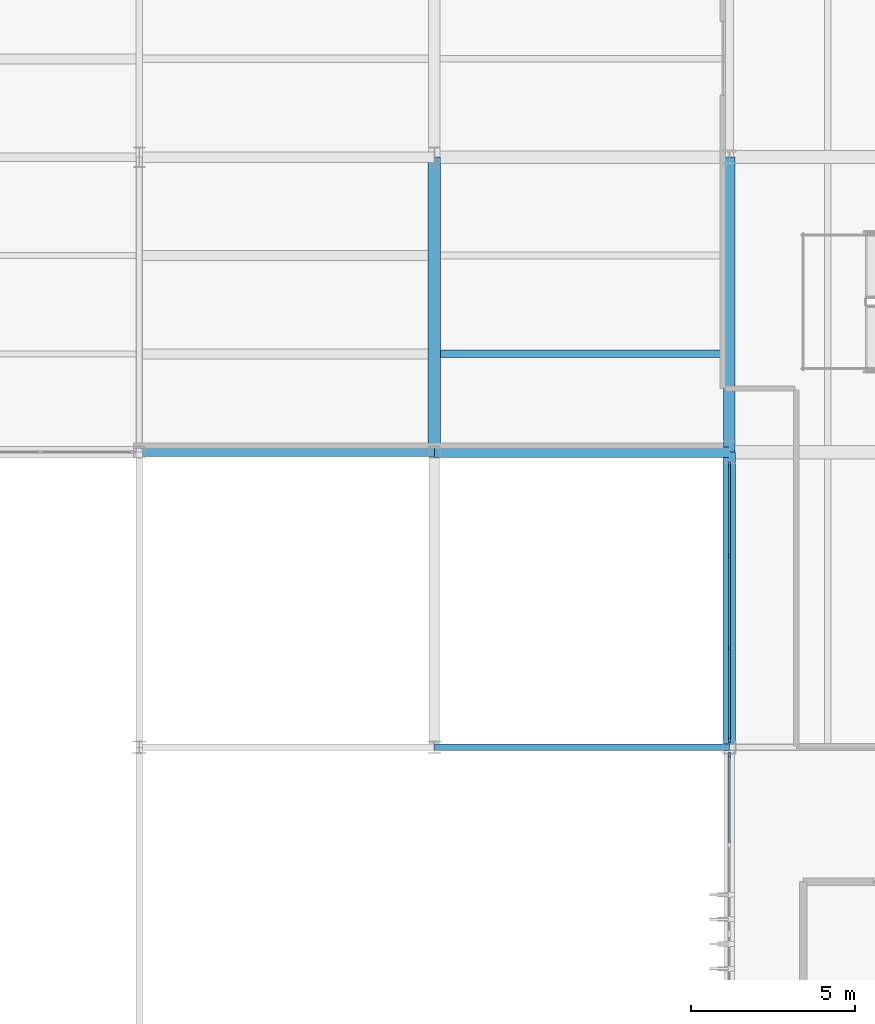
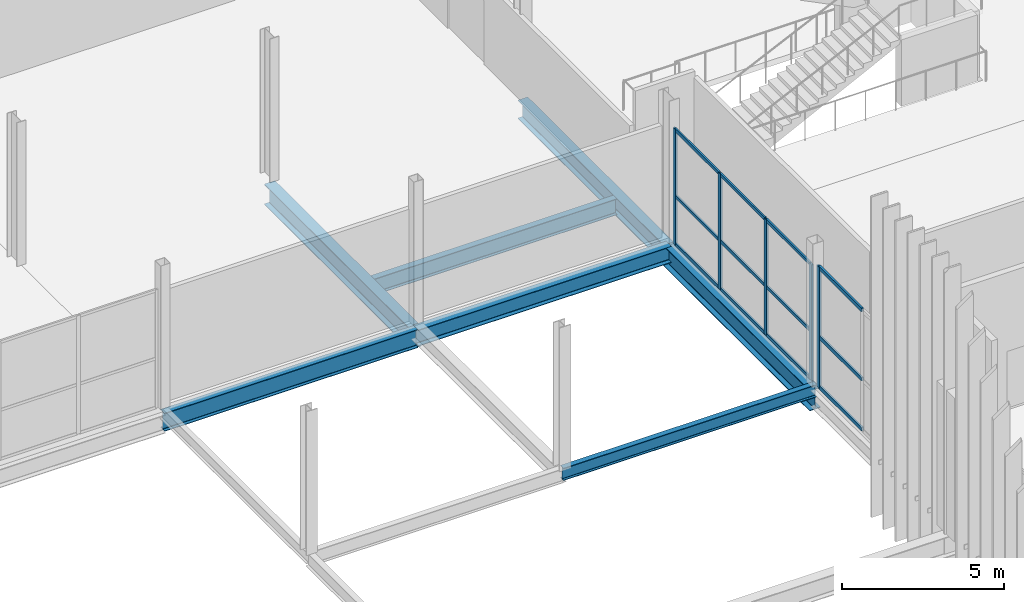
# One storey, part 43 of 119: 17 members, 7 beams, 2 elements without a shape of their own.
"""IFC4 building model written with IfcOpenShell, lengths in metres."""

from ifc_helpers import new_model, si_unit, direction, frame, origin, origin_2d, place, context, subcontext, project, spatial, rectangle, i_section, extrude, material, layer, layer_set, material_profile, profile_set, type_object, element, aggregate, save


model = new_model("IFC4")

# Units and contexts
model_context = context("Model", 3, precision=1e-05, world=origin(), true_north=direction((0.0, 1.0)))
body_context = subcontext(model_context, "Body", "Model", "MODEL_VIEW")
ifc_project = project(units=[si_unit("LENGTHUNIT", "METRE"), si_unit("AREAUNIT", "SQUARE_METRE"), si_unit("VOLUMEUNIT", "CUBIC_METRE"), si_unit("PLANEANGLEUNIT", "RADIAN"), si_unit("MASSUNIT", "GRAM", prefix="KILO")], contexts=[model_context])

# Site, building, storey
site_placement = place(None, origin())
site = spatial("IfcSite", under=ifc_project, at=site_placement, CompositionType="ELEMENT")
building_placement = place(site_placement, origin())
building = spatial("IfcBuilding", under=site, at=building_placement, Name="Qamarlyn Nura Convention Centre", CompositionType="ELEMENT")
storey_placement = place(building_placement, frame((0.0, 0.0, 5.39990234375)))
storey = spatial("IfcBuildingStorey", under=building, at=storey_placement, Name="L01", CompositionType="ELEMENT", Elevation=5.39990234375)

# Beams
ifc_material_1 = material(Name="Steel ASTM A992", Category="steel")
ifc_material_profile_1 = material_profile(ifc_material_1, i_section(OverallWidth=0.323974609375, OverallDepth=0.611083984375, WebThickness=0.0126953125, FlangeThickness=0.01904296875, FilletRadius=0.01611328125, at=origin_2d()), Name="W610X155")
ifc_profile_set_1 = profile_set([ifc_material_profile_1], Name="Steel ASTM A992")
beam_type_1 = type_object("IfcBeamType", Name="BM-GIRD-610", PredefinedType="BEAM", material=ifc_profile_set_1)
beam_1_placement = place(storey_placement, frame((144.0, 27.0, -0.525390625), z_axis=(1.0, 0.0, 0.0), x_axis=(0.0, 1.0, 0.0)))
element("IfcBeam", 1, at=beam_1_placement, inside=storey, type_object=beam_type_1, Name="L01 girder D 12-13", PredefinedType="BEAM", context=body_context, shape_type="SweptSolid", body=[
    extrude(i_section(OverallWidth=0.323974609375, OverallDepth=0.611083984375, WebThickness=0.0126953125, FlangeThickness=0.01904296875, FilletRadius=0.01611328125, at=origin_2d()), origin(), (0.0, 0.0, 1.0), 9.0),
])
ifc_material_profile_2 = material_profile(ifc_material_1, i_section(OverallWidth=0.35498046875, OverallDepth=0.695068359375, WebThickness=0.015380859375, FlangeThickness=0.02490234375, FilletRadius=0.01806640625, at=origin_2d()), Name="W690X217")
ifc_profile_set_2 = profile_set([ifc_material_profile_2], Name="Steel ASTM A992")
beam_type_2 = type_object("IfcBeamType", Name="BM-GIRD-690A", PredefinedType="BEAM", material=ifc_profile_set_2)
beam_2_placement = place(storey_placement, frame((153.0, 27.0, -0.5673828125), z_axis=(0.0, 1.0, 0.0), x_axis=(-1.0, 0.0, 0.0)))
element("IfcBeam", 2, at=beam_2_placement, inside=storey, type_object=beam_type_2, Name="L01 girder 13 D-E", PredefinedType="BEAM", context=body_context, shape_type="SweptSolid", body=[
    extrude(i_section(OverallWidth=0.35498046875, OverallDepth=0.695068359375, WebThickness=0.015380859375, FlangeThickness=0.02490234375, FilletRadius=0.01806640625, at=origin_2d()), origin(), (0.0, 0.0, 1.0), 9.0),
])
ifc_material_profile_3 = material_profile(ifc_material_1, i_section(OverallWidth=0.25390625, OverallDepth=0.68408203125, WebThickness=0.012451171875, FlangeThickness=0.01904296875, FilletRadius=0.01806640625, at=origin_2d()), Name="W690X140")
ifc_profile_set_3 = profile_set([ifc_material_profile_3], Name="Steel ASTM A992")
beam_type_3 = type_object("IfcBeamType", Name="BM-GIRD-690B", PredefinedType="BEAM", material=ifc_profile_set_3)
beam_3_placement = place(storey_placement, frame((135.0, 27.0, -0.56201171875), z_axis=(1.0, 0.0, 0.0), x_axis=(0.0, 1.0, 0.0)))
element("IfcBeam", 3, at=beam_3_placement, inside=storey, type_object=beam_type_3, Name="L01 girder D 11-12", PredefinedType="BEAM", context=body_context, shape_type="SweptSolid", body=[
    extrude(i_section(OverallWidth=0.25390625, OverallDepth=0.68408203125, WebThickness=0.012451171875, FlangeThickness=0.01904296875, FilletRadius=0.01806640625, at=origin_2d()), origin(), (0.0, 0.0, 1.0), 9.0),
])
ifc_material_profile_4 = material_profile(ifc_material_1, i_section(OverallWidth=0.381103515625, OverallDepth=0.77294921875, WebThickness=0.0166015625, FlangeThickness=0.027587890625, FilletRadius=0.02001953125, at=origin_2d()), Name="W760X257")
ifc_profile_set_4 = profile_set([ifc_material_profile_4], Name="Steel ASTM A992")
beam_type_4 = type_object("IfcBeamType", Name="BM-GIRD-760", PredefinedType="BEAM", material=ifc_profile_set_4)
for number, where, z_axis, x_axis, name in (
    (4, (144.0, 27.0, -0.6064453125), (0.0, 1.0, 0.0), (-1.0, 0.0, 0.0), "L01 girder 12 D-E"),
    (5, (153.0, 18.0, -0.6064453125), (0.0, 1.0, 0.0), (-1.0, 0.0, 0.0), "L01 girder 13 C-D"),
):
    element("IfcBeam", number, at=place(storey_placement, frame(where, z_axis=z_axis, x_axis=x_axis)), inside=storey, type_object=beam_type_4, Name=name, PredefinedType="BEAM", context=body_context, shape_type="SweptSolid", body=[
        extrude(i_section(OverallWidth=0.381103515625, OverallDepth=0.77294921875, WebThickness=0.0166015625, FlangeThickness=0.027587890625, FilletRadius=0.02001953125, at=origin_2d()), origin(), (0.0, 0.0, 1.0), 9.0),
    ])
ifc_material_profile_5 = material_profile(ifc_material_1, i_section(OverallWidth=0.22802734375, OverallDepth=0.60791015625, WebThickness=0.01123046875, FlangeThickness=0.017333984375, FilletRadius=0.01611328125, at=origin_2d()), Name="W610X113")
ifc_profile_set_5 = profile_set([ifc_material_profile_5], Name="Steel ASTM A992")
beam_type_5 = type_object("IfcBeamType", Name="BM-JOIST-610", PredefinedType="JOIST", material=ifc_profile_set_5)
beam_4_placement = place(storey_placement, frame((144.1904296875, 30.0, -0.52392578125), z_axis=(1.0, 0.0, 0.0), x_axis=(0.0, 1.0, 0.0)))
element("IfcBeam", 6, at=beam_4_placement, inside=storey, type_object=beam_type_5, Name="L01 composite joist 12-13/D+1", PredefinedType="JOIST", context=body_context, shape_type="SweptSolid", body=[
    extrude(i_section(OverallWidth=0.22802734375, OverallDepth=0.60791015625, WebThickness=0.01123046875, FlangeThickness=0.017333984375, FilletRadius=0.01611328125, at=origin_2d()), origin(), (0.0, 0.0, 1.0), 8.632080078125),
])
ifc_material_profile_6 = material_profile(ifc_material_1, i_section(OverallWidth=0.193115234375, OverallDepth=0.466064453125, WebThickness=0.011474609375, FlangeThickness=0.01904296875, FilletRadius=0.012939453125, at=origin_2d()), Name="W460X97")
ifc_profile_set_6 = profile_set([ifc_material_profile_6], Name="Steel ASTM A992")
beam_type_6 = type_object("IfcBeamType", Name="BM-SPAN-460", PredefinedType="SPANDREL", material=ifc_profile_set_6)
beam_5_placement = place(storey_placement, frame((144.0, 18.0, -0.23291015625), z_axis=(1.0, 0.0, 0.0), x_axis=(0.0, 1.0, 0.0)))
element("IfcBeam", 7, at=beam_5_placement, inside=storey, type_object=beam_type_6, Name="L01 girder C 12-13", PredefinedType="SPANDREL", context=body_context, shape_type="SweptSolid", body=[
    extrude(i_section(OverallWidth=0.193115234375, OverallDepth=0.466064453125, WebThickness=0.011474609375, FlangeThickness=0.01904296875, FilletRadius=0.012939453125, at=origin_2d()), origin(), (0.0, 0.0, 1.0), 9.0),
])

# Curtain wall, members
ifc_material_2 = material(Name="Double-silver low-E insulated glass", Category="glass")
ifc_layer_1 = layer(ifc_material_2, 0.179931640625, Name="CW-UNIT-81")
ifc_layer_set_1 = layer_set([ifc_layer_1], Name="Double-silver low-E insulated glass")
curtain_wall_type_1 = type_object("IfcCurtainWallType", Name="CW-UNIT-81", PredefinedType="NOTDEFINED", material=ifc_layer_set_1)
curtain_wall_1_placement = place(storey_placement, origin())
curtain_wall_1 = element("IfcCurtainWall", 8, at=curtain_wall_1_placement, inside=storey, type_object=curtain_wall_type_1, Name="L01 unitised curtain wall FCW-18-1", PredefinedType="NOTDEFINED")
ifc_material_3 = material(Name="Champagne-anodised marine aluminium", Category="aluminium")
ifc_material_profile_7 = material_profile(ifc_material_3, rectangle(XDim=0.06494140625, YDim=0.159912109375, at=origin_2d()), Name="ALU MULLION 65x160")
ifc_profile_set_7 = profile_set([ifc_material_profile_7], Name="Champagne-anodised marine aluminium")
member_type_1 = type_object("IfcMemberType", Name="CWM-160", PredefinedType="MULLION", material=ifc_profile_set_7)
member_1_placement = place(storey_placement, frame((153.0, 18.232421875, 0.0), z_axis=(0.0, 0.0, 1.0), x_axis=(-1.0, 0.0, 0.0)))
member_1 = element("IfcMember", 9, at=member_1_placement, type_object=member_type_1, Name="CW81 mullion 1", PredefinedType="MULLION", context=body_context, shape_type="SweptSolid", body=[
    extrude(rectangle(XDim=0.06494140625, YDim=0.159912109375, at=origin_2d()), origin(), (0.0, 0.0, 1.0), 4.35205078125),
])
member_2_placement = place(storey_placement, frame((153.0, 21.017578125, 0.0), z_axis=(0.0, 0.0, 1.0), x_axis=(-1.0, 0.0, 0.0)))
member_2 = element("IfcMember", 10, at=member_2_placement, type_object=member_type_1, Name="CW81 mullion 2", PredefinedType="MULLION", context=body_context, shape_type="SweptSolid", body=[
    extrude(rectangle(XDim=0.06494140625, YDim=0.159912109375, at=origin_2d()), origin(), (0.0, 0.0, 1.0), 4.35205078125),
])
member_3_placement = place(storey_placement, frame((153.0, 23.8349609375, 0.0), z_axis=(0.0, 0.0, 1.0), x_axis=(-1.0, 0.0, 0.0)))
member_3 = element("IfcMember", 11, at=member_3_placement, type_object=member_type_1, Name="CW81 mullion 3", PredefinedType="MULLION", context=body_context, shape_type="SweptSolid", body=[
    extrude(rectangle(XDim=0.06494140625, YDim=0.159912109375, at=origin_2d()), origin(), (0.0, 0.0, 1.0), 4.35205078125),
])
member_4_placement = place(storey_placement, frame((153.0, 26.6201171875, 0.0), z_axis=(0.0, 0.0, 1.0), x_axis=(-1.0, 0.0, 0.0)))
member_4 = element("IfcMember", 12, at=member_4_placement, type_object=member_type_1, Name="CW81 mullion 4", PredefinedType="MULLION", context=body_context, shape_type="SweptSolid", body=[
    extrude(rectangle(XDim=0.06494140625, YDim=0.159912109375, at=origin_2d()), origin(), (0.0, 0.0, 1.0), 4.35205078125),
])

# Curtain wall, member
ifc_layer_2 = layer(ifc_material_2, 0.179931640625, Name="CW-UNIT-80")
ifc_layer_set_2 = layer_set([ifc_layer_2], Name="Double-silver low-E insulated glass")
curtain_wall_type_2 = type_object("IfcCurtainWallType", Name="CW-UNIT-80", PredefinedType="NOTDEFINED", material=ifc_layer_set_2)
curtain_wall_2_placement = place(storey_placement, origin())
curtain_wall_2 = element("IfcCurtainWall", 13, at=curtain_wall_2_placement, inside=storey, type_object=curtain_wall_type_2, Name="L01 unitised curtain wall FCW-9-1", PredefinedType="NOTDEFINED")
ifc_material_profile_8 = material_profile(ifc_material_3, rectangle(XDim=0.070068359375, YDim=0.179931640625, at=origin_2d()), Name="ALU MULLION 70x180")
ifc_profile_set_8 = profile_set([ifc_material_profile_8], Name="Champagne-anodised marine aluminium")
member_type_2 = type_object("IfcMemberType", Name="CWM-180", PredefinedType="MULLION", material=ifc_profile_set_8)
member_5_placement = place(storey_placement, frame((153.0, 17.764892578125, 0.0), z_axis=(0.0, 0.0, 1.0), x_axis=(-1.0, 0.0, 0.0)))
member_5 = element("IfcMember", 14, at=member_5_placement, type_object=member_type_2, Name="CW80 mullion 4", PredefinedType="MULLION", context=body_context, shape_type="SweptSolid", body=[
    extrude(rectangle(XDim=0.070068359375, YDim=0.179931640625, at=origin_2d()), origin(), (0.0, 0.0, 1.0), 4.55419921875),
])

# Member
ifc_material_profile_9 = material_profile(ifc_material_3, rectangle(XDim=0.06494140625, YDim=0.1201171875, at=origin_2d()), Name="ALU TRANSOM 65x120")
ifc_profile_set_9 = profile_set([ifc_material_profile_9], Name="Champagne-anodised marine aluminium")
member_type_3 = type_object("IfcMemberType", Name="CWT-120", PredefinedType="USERDEFINED", material=ifc_profile_set_9)
member_6_placement = place(storey_placement, frame((153.0, 18.264892578125, 0.03271484375), z_axis=(0.0, 1.0, 0.0), x_axis=(-1.0, 0.0, 0.0)))
member_6 = element("IfcMember", 15, at=member_6_placement, type_object=member_type_3, Name="CW81 transom 1.1", ObjectType="TRANSOM", PredefinedType="USERDEFINED", context=body_context, shape_type="SweptSolid", body=[
    extrude(rectangle(XDim=0.06494140625, YDim=0.1201171875, at=origin_2d()), origin(), (0.0, 0.0, 1.0), 2.72021484375),
])

member_7_placement = place(storey_placement, frame((153.0, 18.264892578125, 1.828125), z_axis=(0.0, 1.0, 0.0), x_axis=(-1.0, 0.0, 0.0)))
member_7 = element("IfcMember", 16, at=member_7_placement, type_object=member_type_3, Name="CW81 transom 1.2", ObjectType="TRANSOM", PredefinedType="USERDEFINED", context=body_context, shape_type="SweptSolid", body=[
    extrude(rectangle(XDim=0.06494140625, YDim=0.1201171875, at=origin_2d()), origin(), (0.0, 0.0, 1.0), 2.72021484375),
])

member_8_placement = place(storey_placement, frame((153.0, 18.264892578125, 4.319580078125), z_axis=(0.0, 1.0, 0.0), x_axis=(-1.0, 0.0, 0.0)))
member_8 = element("IfcMember", 17, at=member_8_placement, type_object=member_type_3, Name="CW81 transom 1.3", ObjectType="TRANSOM", PredefinedType="USERDEFINED", context=body_context, shape_type="SweptSolid", body=[
    extrude(rectangle(XDim=0.06494140625, YDim=0.1201171875, at=origin_2d()), origin(), (0.0, 0.0, 1.0), 2.72021484375),
])

member_9_placement = place(storey_placement, frame((153.0, 21.050048828125, 0.03271484375), z_axis=(0.0, 1.0, 0.0), x_axis=(-1.0, 0.0, 0.0)))
member_9 = element("IfcMember", 18, at=member_9_placement, type_object=member_type_3, Name="CW81 transom 2.1", ObjectType="TRANSOM", PredefinedType="USERDEFINED", context=body_context, shape_type="SweptSolid", body=[
    extrude(rectangle(XDim=0.06494140625, YDim=0.1201171875, at=origin_2d()), origin(), (0.0, 0.0, 1.0), 2.75244140625),
])

member_10_placement = place(storey_placement, frame((153.0, 21.050048828125, 1.828125), z_axis=(0.0, 1.0, 0.0), x_axis=(-1.0, 0.0, 0.0)))
member_10 = element("IfcMember", 19, at=member_10_placement, type_object=member_type_3, Name="CW81 transom 2.2", ObjectType="TRANSOM", PredefinedType="USERDEFINED", context=body_context, shape_type="SweptSolid", body=[
    extrude(rectangle(XDim=0.06494140625, YDim=0.1201171875, at=origin_2d()), origin(), (0.0, 0.0, 1.0), 2.75244140625),
])

member_11_placement = place(storey_placement, frame((153.0, 21.050048828125, 4.319580078125), z_axis=(0.0, 1.0, 0.0), x_axis=(-1.0, 0.0, 0.0)))
member_11 = element("IfcMember", 20, at=member_11_placement, type_object=member_type_3, Name="CW81 transom 2.3", ObjectType="TRANSOM", PredefinedType="USERDEFINED", context=body_context, shape_type="SweptSolid", body=[
    extrude(rectangle(XDim=0.06494140625, YDim=0.1201171875, at=origin_2d()), origin(), (0.0, 0.0, 1.0), 2.75244140625),
])

member_12_placement = place(storey_placement, frame((153.0, 23.867431640625, 0.03271484375), z_axis=(0.0, 1.0, 0.0), x_axis=(-1.0, 0.0, 0.0)))
member_12 = element("IfcMember", 21, at=member_12_placement, type_object=member_type_3, Name="CW81 transom 3.1", ObjectType="TRANSOM", PredefinedType="USERDEFINED", context=body_context, shape_type="SweptSolid", body=[
    extrude(rectangle(XDim=0.06494140625, YDim=0.1201171875, at=origin_2d()), origin(), (0.0, 0.0, 1.0), 2.719970703125),
])

member_13_placement = place(storey_placement, frame((153.0, 23.867431640625, 1.828125), z_axis=(0.0, 1.0, 0.0), x_axis=(-1.0, 0.0, 0.0)))
member_13 = element("IfcMember", 22, at=member_13_placement, type_object=member_type_3, Name="CW81 transom 3.2", ObjectType="TRANSOM", PredefinedType="USERDEFINED", context=body_context, shape_type="SweptSolid", body=[
    extrude(rectangle(XDim=0.06494140625, YDim=0.1201171875, at=origin_2d()), origin(), (0.0, 0.0, 1.0), 2.719970703125),
])

member_14_placement = place(storey_placement, frame((153.0, 23.867431640625, 4.319580078125), z_axis=(0.0, 1.0, 0.0), x_axis=(-1.0, 0.0, 0.0)))
member_14 = element("IfcMember", 23, at=member_14_placement, type_object=member_type_3, Name="CW81 transom 3.3", ObjectType="TRANSOM", PredefinedType="USERDEFINED", context=body_context, shape_type="SweptSolid", body=[
    extrude(rectangle(XDim=0.06494140625, YDim=0.1201171875, at=origin_2d()), origin(), (0.0, 0.0, 1.0), 2.719970703125),
])

aggregate(curtain_wall_1, [member_1, member_2, member_3, member_4, member_6, member_7, member_8, member_9, member_10, member_11, member_12, member_13, member_14])

ifc_material_profile_10 = material_profile(ifc_material_3, rectangle(XDim=0.070068359375, YDim=0.139892578125, at=origin_2d()), Name="ALU TRANSOM 70x140")
ifc_profile_set_10 = profile_set([ifc_material_profile_10], Name="Champagne-anodised marine aluminium")
member_type_4 = type_object("IfcMemberType", Name="CWT-140", PredefinedType="USERDEFINED", material=ifc_profile_set_10)
member_15_placement = place(storey_placement, frame((153.0, 15.0849609375, 0.03515625), z_axis=(0.0, 1.0, 0.0), x_axis=(-1.0, 0.0, 0.0)))
member_15 = element("IfcMember", 24, at=member_15_placement, type_object=member_type_4, Name="CW80 transom 3.1", ObjectType="TRANSOM", PredefinedType="USERDEFINED", context=body_context, shape_type="SweptSolid", body=[
    extrude(rectangle(XDim=0.070068359375, YDim=0.139892578125, at=origin_2d()), origin(), (0.0, 0.0, 1.0), 2.64501953125),
])

member_16_placement = place(storey_placement, frame((153.0, 15.0849609375, 1.9130859375), z_axis=(0.0, 1.0, 0.0), x_axis=(-1.0, 0.0, 0.0)))
member_16 = element("IfcMember", 25, at=member_16_placement, type_object=member_type_4, Name="CW80 transom 3.2", ObjectType="TRANSOM", PredefinedType="USERDEFINED", context=body_context, shape_type="SweptSolid", body=[
    extrude(rectangle(XDim=0.070068359375, YDim=0.139892578125, at=origin_2d()), origin(), (0.0, 0.0, 1.0), 2.64501953125),
])

member_17_placement = place(storey_placement, frame((153.0, 15.0849609375, 4.51904296875), z_axis=(0.0, 1.0, 0.0), x_axis=(-1.0, 0.0, 0.0)))
member_17 = element("IfcMember", 26, at=member_17_placement, type_object=member_type_4, Name="CW80 transom 3.3", ObjectType="TRANSOM", PredefinedType="USERDEFINED", context=body_context, shape_type="SweptSolid", body=[
    extrude(rectangle(XDim=0.070068359375, YDim=0.139892578125, at=origin_2d()), origin(), (0.0, 0.0, 1.0), 2.64501953125),
])

aggregate(curtain_wall_2, [member_5, member_15, member_16, member_17])

save(model, "model.ifc")
